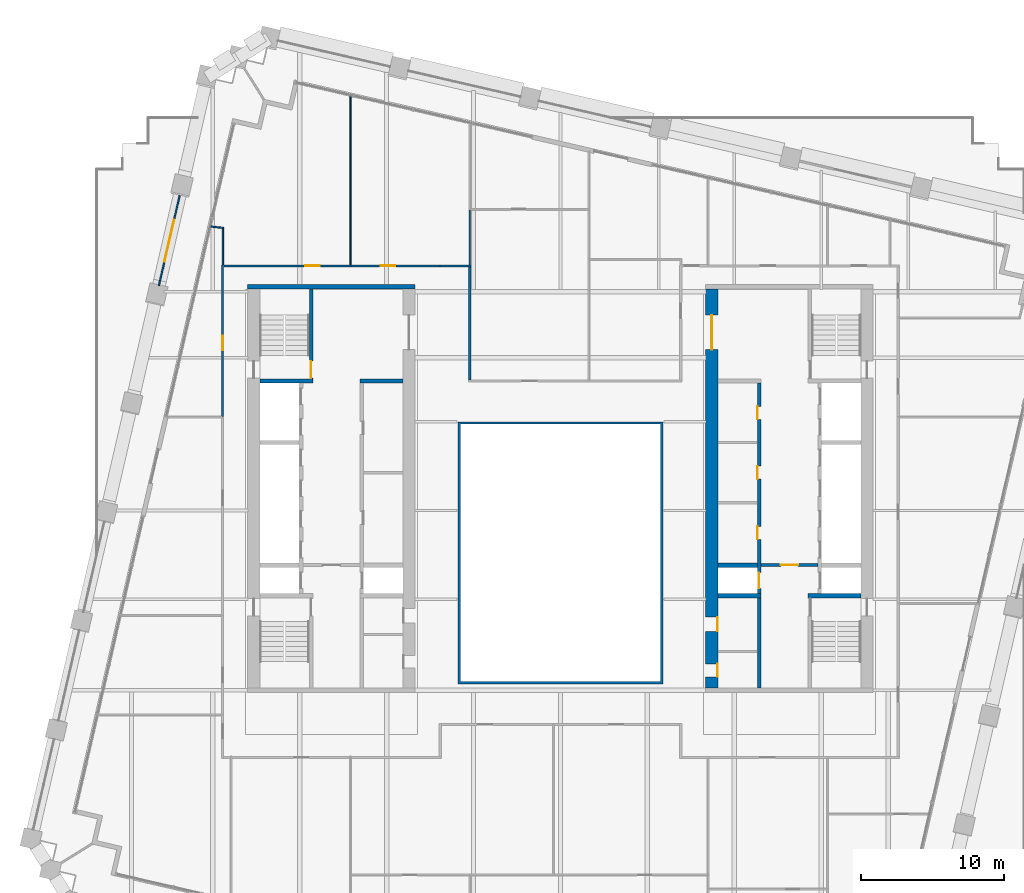
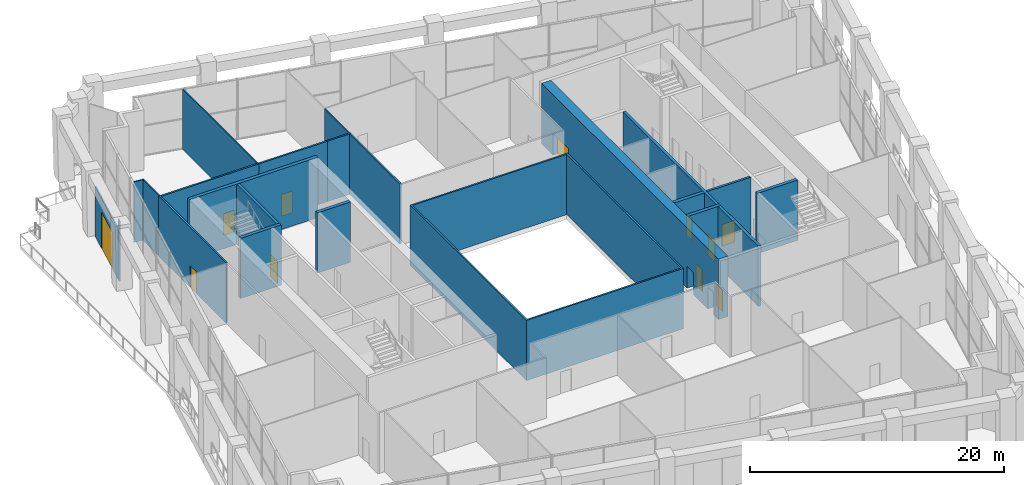
# One storey, part 17 of 23: 22 walls, 13 doors, 13 openings.
"""IFC4 building model written with IfcOpenShell, lengths in metres."""

from ifc_helpers import new_model, si_unit, direction, frame, frame_2d, origin, place, context, subcontext, project, spatial, polyline, rectangle, outline, extrude, material, layer, layer_set, type_object, element, fill, save


model = new_model("IFC4")

# Units and contexts
model_context = context("Model", 3, precision=1e-05, world=origin(), true_north=direction((0.0, 1.0)))
body_context = subcontext(model_context, "Body", "Model", "MODEL_VIEW")
ifc_project = project(units=[si_unit("LENGTHUNIT", "METRE"), si_unit("AREAUNIT", "SQUARE_METRE"), si_unit("VOLUMEUNIT", "CUBIC_METRE"), si_unit("PLANEANGLEUNIT", "RADIAN"), si_unit("MASSUNIT", "GRAM", prefix="KILO")], contexts=[model_context])

# Site, building, storey
site_placement = place(None, origin())
site = spatial("IfcSite", under=ifc_project, at=site_placement, CompositionType="ELEMENT")
building_placement = place(site_placement, origin())
building = spatial("IfcBuilding", under=site, at=building_placement, Name="Ogive Exchange Tower", CompositionType="ELEMENT")
storey_placement = place(building_placement, frame((0.0, 0.0, 99.60009765625)))
storey = spatial("IfcBuildingStorey", under=building, at=storey_placement, Name="L21", CompositionType="ELEMENT", Elevation=99.60009765625)

# Wall
ifc_material_1 = material(Name="Gypsum board partition")
ifc_layer_1 = layer(ifc_material_1, 0.300048828125)
ifc_layer_set_1 = layer_set([ifc_layer_1], Name="Core room partition 300 gypsum")
wall_type_1 = type_object("IfcWallType", Name="Core room partition 300 gypsum", PredefinedType="PARTITIONING", material=ifc_layer_set_1)
wall_1_placement = place(storey_placement, frame((-14.0, 19.0, 0.0), z_axis=(0.0, 0.0, 1.0), x_axis=(1.0, 0.0, 0.0)))
element("IfcWall", 1, at=wall_1_placement, inside=storey, type_object=wall_type_1, Name="W row B room end wall 7", PredefinedType="PARTITIONING", context=body_context, shape_type="SweptSolid", body=[
    extrude(rectangle(XDim=3.0, YDim=0.300048828125, at=frame_2d((1.5, 0.0))), origin(), (0.0, 0.0, 1.0), 5.7998046875),
])

# Wall, opening, door
ifc_material_2 = material(Name="Fire partition EI 60 150")
ifc_layer_2 = layer(ifc_material_2, 0.14990234375)
ifc_layer_set_2 = layer_set([ifc_layer_2], Name="Fire partition EI 60 150")
wall_type_2 = type_object("IfcWallType", Name="Fire partition EI 60 150", PredefinedType="PARTITIONING", material=ifc_layer_set_2)
wall_2_placement = place(storey_placement, frame((-23.60009765625, 16.530029296875, 0.0), z_axis=(0.0, 0.0, 1.0), x_axis=(0.0, 1.0, 0.0)))
wall_2 = element("IfcWall", 2, at=wall_2_placement, inside=storey, type_object=wall_type_2, Name="L21-PWL-008", PredefinedType="PARTITIONING", context=body_context, shape_type="SweptSolid", body=[
    extrude(rectangle(XDim=10.594970703125, YDim=0.14990234375, at=frame_2d((5.29736328125, 0.0))), origin(), (0.0, 0.0, 1.0), 5.7998046875),
])
opening_1_placement = place(wall_2_placement, frame((4.6201171875, 0.0, 0.0)))
opening_1 = element("IfcOpeningElement", 3, at=opening_1_placement, cuts=wall_2, Name="Opening L21-I20", PredefinedType="OPENING", context=body_context, shape_type="SweptSolid", body=[
    extrude(rectangle(XDim=1.0, YDim=2.10009765625, at=frame_2d((0.5, 1.050048828125))), frame((0.0, 0.0849609375, 0.0), z_axis=(0.0, -1.0, 0.0), x_axis=(1.0, 0.0, 0.0)), (0.0, 0.0, 1.0), 0.169921875),
])
ifc_material_3 = material(Name="Fire door FD 30S 1000 x 2100")
door_type_1 = type_object("IfcDoorType", Name="Fire door FD 30S 1000 x 2100", OperationType="NOTDEFINED", PredefinedType="DOOR", material=ifc_material_3)
door_1_placement = place(opening_1_placement, origin())
door_1 = element("IfcDoor", 4, at=door_1_placement, inside=storey, type_object=door_type_1, Name="L21-IDR-020", ObjectType="DT3", OperationType="SINGLE_SWING_RIGHT", OverallHeight=2.10009765625, OverallWidth=1.0, PredefinedType="DOOR", context=body_context, shape_type="SweptSolid", body=[
    extrude(rectangle(XDim=1.0, YDim=2.10009765625, at=frame_2d((0.5, 1.050048828125))), frame((0.0, 0.02490234375, 0.0), z_axis=(0.0, -1.0, 0.0), x_axis=(1.0, 0.0, 0.0)), (0.0, 0.0, 1.0), 0.050048828125),
])
fill(opening_1, door_1)

wall_3_placement = place(storey_placement, frame((-23.514892578125, 27.050048828125, 0.0), z_axis=(0.0, 0.0, 1.0), x_axis=(1.0, 0.0, 0.0)))
wall_3 = element("IfcWall", 5, at=wall_3_placement, inside=storey, type_object=wall_type_2, Name="L21-PWL-010", PredefinedType="PARTITIONING", context=body_context, shape_type="SweptSolid", body=[
    extrude(rectangle(XDim=8.894775390625, YDim=0.14990234375, at=frame_2d((4.447265625, 0.0))), origin(), (0.0, 0.0, 1.0), 5.7998046875),
])
opening_2_placement = place(wall_3_placement, frame((5.695068359375, 0.0, 0.0)))
opening_2 = element("IfcOpeningElement", 6, at=opening_2_placement, cuts=wall_3, Name="Opening L21-I19", PredefinedType="OPENING", context=body_context, shape_type="SweptSolid", body=[
    extrude(rectangle(XDim=1.0, YDim=2.10009765625, at=frame_2d((0.5, 1.050048828125))), frame((0.0, 0.0849609375, 0.0), z_axis=(0.0, -1.0, 0.0), x_axis=(1.0, 0.0, 0.0)), (0.0, 0.0, 1.0), 0.169921875),
])
door_2_placement = place(opening_2_placement, origin())
door_2 = element("IfcDoor", 7, at=door_2_placement, inside=storey, type_object=door_type_1, Name="L21-IDR-019", ObjectType="DT3", OperationType="SINGLE_SWING_LEFT", OverallHeight=2.10009765625, OverallWidth=1.0, PredefinedType="DOOR", context=body_context, shape_type="SweptSolid", body=[
    extrude(rectangle(XDim=1.0, YDim=2.10009765625, at=frame_2d((0.5, 1.050048828125))), frame((0.0, 0.02490234375, 0.0), z_axis=(0.0, -1.0, 0.0), x_axis=(1.0, 0.0, 0.0)), (0.0, 0.0, 1.0), 0.050048828125),
])
fill(opening_2, door_2)

wall_4_placement = place(storey_placement, frame((-14.6201171875, 27.050048828125, 0.0), z_axis=(0.0, 0.0, 1.0), x_axis=(1.0, 0.0, 0.0)))
wall_4 = element("IfcWall", 8, at=wall_4_placement, inside=storey, type_object=wall_type_2, Name="L21-PWL-017", PredefinedType="PARTITIONING", context=body_context, shape_type="SweptSolid", body=[
    extrude(rectangle(XDim=6.22021484375, YDim=0.14990234375, at=frame_2d((3.110107421875, 0.0))), origin(), (0.0, 0.0, 1.0), 5.7998046875),
])
opening_3_placement = place(wall_4_placement, frame((2.070068359375, 0.0, 0.0)))
opening_3 = element("IfcOpeningElement", 9, at=opening_3_placement, cuts=wall_4, Name="Opening L21-I01", PredefinedType="OPENING", context=body_context, shape_type="SweptSolid", body=[
    extrude(rectangle(XDim=1.0, YDim=2.10009765625, at=frame_2d((0.5, 1.050048828125))), frame((0.0, 0.0849609375, 0.0), z_axis=(0.0, -1.0, 0.0), x_axis=(1.0, 0.0, 0.0)), (0.0, 0.0, 1.0), 0.169921875),
])
door_3_placement = place(opening_3_placement, origin())
door_3 = element("IfcDoor", 10, at=door_3_placement, inside=storey, type_object=door_type_1, Name="L21-IDR-001", ObjectType="DT3", OperationType="SINGLE_SWING_RIGHT", OverallHeight=2.10009765625, OverallWidth=1.0, PredefinedType="DOOR", context=body_context, shape_type="SweptSolid", body=[
    extrude(rectangle(XDim=1.0, YDim=2.10009765625, at=frame_2d((0.5, 1.050048828125))), frame((0.0, 0.02490234375, 0.0), z_axis=(0.0, -1.0, 0.0), x_axis=(1.0, 0.0, 0.0)), (0.0, 0.0, 1.0), 0.050048828125),
])
fill(opening_3, door_3)

# Walls
wall_5_placement = place(storey_placement, frame((-8.39990234375, 27.0400390625, 0.0), z_axis=(0.0, 0.0, 1.0), x_axis=(1.0, 0.0, 0.0)))
element("IfcWall", 11, at=wall_5_placement, inside=storey, type_object=wall_type_2, Name="L21-PWL-020", PredefinedType="PARTITIONING", context=body_context, shape_type="SweptSolid", body=[
    extrude(rectangle(XDim=2.135009765625, YDim=0.14990234375, at=frame_2d((1.0673828125, 0.0))), origin(), (0.0, 0.0, 1.0), 5.7998046875),
])
wall_6_placement = place(storey_placement, frame((-6.340087890625, 26.965087890625, 0.0), z_axis=(0.0, 0.0, 1.0), x_axis=(0.0, -1.0, 0.0)))
element("IfcWall", 12, at=wall_6_placement, inside=storey, type_object=wall_type_2, Name="L21-PWL-024", PredefinedType="PARTITIONING", context=body_context, shape_type="SweptSolid", body=[
    extrude(rectangle(XDim=7.89013671875, YDim=0.14990234375, at=frame_2d((3.945068359375, 0.0))), origin(), (0.0, 0.0, 1.0), 5.7998046875),
])
ifc_material_4 = material(Name="Fire-resisting glass in steel frame", Category="steel")
ifc_layer_3 = layer(ifc_material_4, 0.14990234375)
ifc_layer_set_3 = layer_set([ifc_layer_3], Name="Fire-rated glazed wall 150")
wall_type_3 = type_object("IfcWallType", Name="Fire-rated glazed wall 150", PredefinedType="STANDARD", material=ifc_layer_set_3)
wall_7_placement = place(storey_placement, origin())
element("IfcWall", 13, at=wall_7_placement, inside=storey, type_object=wall_type_3, Name="Nave enclosure wall", PredefinedType="STANDARD", context=body_context, shape_type="SweptSolid", body=[
    extrude(outline(polyline([(-7.14990234375, -2.14990234375), (7.14990234375, -2.14990234375), (7.14990234375, 16.14990234375), (-7.14990234375, 16.14990234375), (-7.14990234375, -2.14990234375)]), holes=[polyline([(-7.0, -2.0), (-7.0, 16.0), (7.0, 16.0), (7.0, -2.0), (-7.0, -2.0)])]), origin(), (0.0, 0.0, 1.0), 5.7998046875),
])

# Wall, opening, door
ifc_material_5 = material(Name="Laminated safety glass in steel frame", Category="steel")
ifc_layer_4 = layer(ifc_material_5, 0.10009765625)
ifc_layer_set_4 = layer_set([ifc_layer_4], Name="Loggia end screen 100")
wall_type_4 = type_object("IfcWallType", Name="Loggia end screen 100", PredefinedType="STANDARD", material=ifc_layer_set_4)
wall_8_placement = place(storey_placement, frame((-26.60302734375, 31.967041015625, 0.0), z_axis=(0.0, 0.0, 1.0), x_axis=(-0.224944128694, -0.974371663671, 0.0)))
wall_8 = element("IfcWall", 14, at=wall_8_placement, inside=storey, type_object=wall_type_4, Name="Terrace screen W01", PredefinedType="STANDARD", context=body_context, shape_type="SweptSolid", body=[
    extrude(rectangle(XDim=6.1103515625, YDim=0.10009765625, at=frame_2d((3.05517578125, 0.0))), origin(), (0.0, 0.0, 1.0), 4.849853515625),
])
opening_4_placement = place(wall_8_placement, frame((1.72998046875, 0.0, 0.0)))
opening_4 = element("IfcOpeningElement", 15, at=opening_4_placement, cuts=wall_8, Name="Opening D4", PredefinedType="OPENING", context=body_context, shape_type="SweptSolid", body=[
    extrude(rectangle(XDim=3.0, YDim=3.5, at=frame_2d((1.5, 1.75))), frame((0.0, 0.06005859375, 0.0), z_axis=(0.0, -1.0, 0.0), x_axis=(1.0, 0.0, 0.0)), (0.0, 0.0, 1.0), 0.1201171875),
])
ifc_material_6 = material(Name="Clear glass in bronze frame", Category="glass")
door_type_2 = type_object("IfcDoorType", Name="Terrace sliding door 3000 x 3500", OperationType="DOUBLE_DOOR_SLIDING", PredefinedType="DOOR", material=ifc_material_6)
door_4_placement = place(opening_4_placement, origin())
door_4 = element("IfcDoor", 16, at=door_4_placement, inside=storey, type_object=door_type_2, Name="Terrace door W01", OperationType="DOUBLE_DOOR_SLIDING", OverallHeight=3.5, OverallWidth=3.0, PredefinedType="DOOR", context=body_context, shape_type="SweptSolid", body=[
    extrude(rectangle(XDim=3.0, YDim=3.5, at=frame_2d((1.5, 1.75))), frame((0.0, 0.02490234375, 0.0), z_axis=(0.0, -1.0, 0.0), x_axis=(1.0, 0.0, 0.0)), (0.0, 0.0, 1.0), 0.050048828125),
])
fill(opening_4, door_4)

# Walls
wall_9_placement = place(storey_placement, frame((-27.9775390625, 26.01318359375, 0.0), z_axis=(0.0, 0.0, 1.0), x_axis=(-0.224910518966, -0.974379422227, 0.0)))
element("IfcWall", 17, at=wall_9_placement, inside=storey, type_object=wall_type_4, Name="Terrace screen W01", PredefinedType="STANDARD", context=body_context, shape_type="SweptSolid", body=[
    extrude(rectangle(XDim=0.349609375, YDim=0.10009765625, at=frame_2d((0.1748046875, 0.0))), origin(), (0.0, 0.0, 1.0), 5.7998046875),
])
ifc_material_7 = material(Name="Partition 100 gypsum")
ifc_layer_5 = layer(ifc_material_7, 0.10009765625)
ifc_layer_set_5 = layer_set([ifc_layer_5], Name="Partition 100 gypsum")
wall_type_5 = type_object("IfcWallType", Name="Partition 100 gypsum", PredefinedType="PARTITIONING", material=ifc_layer_set_5)
wall_10_placement = place(storey_placement, frame((-24.416015625, 29.794921875, 0.0), z_axis=(0.0, 0.0, 1.0), x_axis=(0.993440426076, -0.114350862868, 0.0)))
element("IfcWall", 18, at=wall_10_placement, inside=storey, type_object=wall_type_5, Name="L21-PWL-001", PredefinedType="PARTITIONING", context=body_context, shape_type="SweptSolid", body=[
    extrude(rectangle(XDim=0.8818359375, YDim=0.10009765625, at=frame_2d((0.44091796875, 0.0))), origin(), (0.0, 0.0, 1.0), 5.7998046875),
])
wall_11_placement = place(storey_placement, frame((-23.590087890625, 27.125, 0.0), z_axis=(0.0, 0.0, 1.0), x_axis=(0.0, 1.0, 0.0)))
element("IfcWall", 19, at=wall_11_placement, inside=storey, type_object=wall_type_5, Name="L21-PWL-009", PredefinedType="PARTITIONING", context=body_context, shape_type="SweptSolid", body=[
    extrude(rectangle(XDim=2.52490234375, YDim=0.10009765625, at=frame_2d((1.262451171875, 0.0))), origin(), (0.0, 0.0, 1.0), 5.7998046875),
])
wall_12_placement = place(storey_placement, frame((-14.669921875, 27.125, 0.0), z_axis=(0.0, 0.0, 1.0), x_axis=(0.0, 1.0, 0.0)))
element("IfcWall", 20, at=wall_12_placement, inside=storey, type_object=wall_type_5, Name="L21-PWL-016", PredefinedType="PARTITIONING", context=body_context, shape_type="SweptSolid", body=[
    extrude(rectangle(XDim=11.785888671875, YDim=0.10009765625, at=frame_2d((5.89306640625, 0.0))), origin(), (0.0, 0.0, 1.0), 5.7998046875),
])
wall_13_placement = place(storey_placement, frame((-6.340087890625, 30.949951171875, 0.0), z_axis=(0.0, 0.0, 1.0), x_axis=(0.0, -1.0, 0.0)))
element("IfcWall", 21, at=wall_13_placement, inside=storey, type_object=wall_type_5, Name="L21-PWL-025", PredefinedType="PARTITIONING", context=body_context, shape_type="SweptSolid", body=[
    extrude(rectangle(XDim=3.8349609375, YDim=0.10009765625, at=frame_2d((1.91748046875, 0.0))), origin(), (0.0, 0.0, 1.0), 5.7998046875),
])

# Wall, opening, door
ifc_material_8 = material(Name="Concrete C70/85", Category="concrete")
ifc_layer_6 = layer(ifc_material_8, 0.199951171875)
ifc_layer_set_6 = layer_set([ifc_layer_6], Name="RC core wall 200 C70/85")
wall_type_6 = type_object("IfcWallType", Name="RC core wall 200 C70/85", PredefinedType="SHEAR", material=ifc_layer_set_6)
wall_14_placement = place(storey_placement, frame((14.0, 6.142822265625, 0.0), z_axis=(0.0, 0.0, 1.0), x_axis=(1.0, 0.0, 0.0)))
wall_14 = element("IfcWall", 22, at=wall_14_placement, inside=storey, type_object=wall_type_6, Name="E firefighting lobby wall", PredefinedType="SHEAR", context=body_context, shape_type="SweptSolid", body=[
    extrude(rectangle(XDim=4.0, YDim=0.199951171875, at=frame_2d((2.0, 0.0))), origin(), (0.0, 0.0, 1.0), 5.7998046875),
])
opening_5_placement = place(wall_14_placement, frame((1.39990234375, 0.0, 0.0)))
opening_5 = element("IfcOpeningElement", 23, at=opening_5_placement, cuts=wall_14, Name="Opening L21-C30", PredefinedType="OPENING", context=body_context, shape_type="SweptSolid", body=[
    extrude(rectangle(XDim=1.199951171875, YDim=2.10009765625, at=frame_2d((0.60009765625, 1.050048828125))), frame((0.0, 0.10986328125, 0.0), z_axis=(0.0, -1.0, 0.0), x_axis=(1.0, 0.0, 0.0)), (0.0, 0.0, 1.0), 0.219970703125),
])
ifc_material_9 = material(Name="Steel fire door", Category="steel")
door_type_3 = type_object("IfcDoorType", Name="Firefighting lobby door FD60 1200 x 2100", OperationType="NOTDEFINED", PredefinedType="DOOR", material=ifc_material_9)
door_5_placement = place(opening_5_placement, frame((1.199951171875, 0.0, 0.0), z_axis=(0.0, 0.0, 1.0), x_axis=(-1.0, 0.0, 0.0)))
door_5 = element("IfcDoor", 24, at=door_5_placement, inside=storey, type_object=door_type_3, Name="Firefighting lobby door", ObjectType="CD3", OperationType="SINGLE_SWING_RIGHT", OverallHeight=2.10009765625, OverallWidth=1.199951171875, PredefinedType="DOOR", context=body_context, shape_type="SweptSolid", body=[
    extrude(rectangle(XDim=1.199951171875, YDim=2.10009765625, at=frame_2d((0.60009765625, 1.050048828125))), frame((0.0, 0.02490234375, 0.0), z_axis=(0.0, -1.0, 0.0), x_axis=(1.0, 0.0, 0.0)), (0.0, 0.0, 1.0), 0.050048828125),
])
fill(opening_5, door_5)

ifc_layer_7 = layer(ifc_material_8, 0.25)
ifc_layer_set_7 = layer_set([ifc_layer_7], Name="RC core wall 250 C70/85")
wall_type_7 = type_object("IfcWallType", Name="RC core wall 250 C70/85", PredefinedType="SHEAR", material=ifc_layer_set_7)
wall_15_placement = place(storey_placement, frame((-17.425048828125, 19.14990234375, 0.0), z_axis=(0.0, 0.0, 1.0), x_axis=(0.0, 1.0, 0.0)))
wall_15 = element("IfcWall", 25, at=wall_15_placement, inside=storey, type_object=wall_type_7, Name="W stair N front wall", PredefinedType="SHEAR", context=body_context, shape_type="SweptSolid", body=[
    extrude(rectangle(XDim=6.300048828125, YDim=0.25, at=frame_2d((3.14990234375, 0.0))), origin(), (0.0, 0.0, 1.0), 5.7998046875),
])
opening_6_placement = place(wall_15_placement, frame((0.050048828125, 0.0, 0.0)))
opening_6 = element("IfcOpeningElement", 26, at=opening_6_placement, cuts=wall_15, Name="Opening L21-C15", PredefinedType="OPENING", context=body_context, shape_type="SweptSolid", body=[
    extrude(rectangle(XDim=1.199951171875, YDim=2.10009765625, at=frame_2d((0.60009765625, 1.050048828125))), frame((0.0, 0.135009765625, 0.0), z_axis=(0.0, -1.0, 0.0), x_axis=(1.0, 0.0, 0.0)), (0.0, 0.0, 1.0), 0.27001953125),
])
door_type_4 = type_object("IfcDoorType", Name="Stair door FD90 1200 x 2100", OperationType="NOTDEFINED", PredefinedType="DOOR", material=ifc_material_9)
door_6_placement = place(opening_6_placement, origin())
door_6 = element("IfcDoor", 27, at=door_6_placement, inside=storey, type_object=door_type_4, Name="Stair door", ObjectType="CD5", OperationType="SINGLE_SWING_RIGHT", OverallHeight=2.10009765625, OverallWidth=1.199951171875, PredefinedType="DOOR", context=body_context, shape_type="SweptSolid", body=[
    extrude(rectangle(XDim=1.199951171875, YDim=2.10009765625, at=frame_2d((0.60009765625, 1.050048828125))), frame((0.0, 0.02490234375, 0.0), z_axis=(0.0, -1.0, 0.0), x_axis=(1.0, 0.0, 0.0)), (0.0, 0.0, 1.0), 0.050048828125),
])
fill(opening_6, door_6)

# Wall, openings, doors
wall_16_placement = place(storey_placement, frame((13.875, -2.449951171875, 0.0), z_axis=(0.0, 0.0, 1.0), x_axis=(0.0, 1.0, 0.0)))
wall_16 = element("IfcWall", 28, at=wall_16_placement, inside=storey, type_object=wall_type_7, Name="E row B front wall", PredefinedType="SHEAR", context=body_context, shape_type="SweptSolid", body=[
    extrude(rectangle(XDim=21.300048828125, YDim=0.25, at=frame_2d((10.64990234375, 0.0))), origin(), (0.0, 0.0, 1.0), 5.7998046875),
])
opening_7_placement = place(wall_16_placement, frame((10.396484375, 0.0, 0.0)))
opening_7 = element("IfcOpeningElement", 29, at=opening_7_placement, cuts=wall_16, Name="Opening L21-C26", PredefinedType="OPENING", context=body_context, shape_type="SweptSolid", body=[
    extrude(rectangle(XDim=0.89990234375, YDim=2.10009765625, at=frame_2d((0.449951171875, 1.050048828125))), frame((0.0, 0.135009765625, 0.0), z_axis=(0.0, -1.0, 0.0), x_axis=(1.0, 0.0, 0.0)), (0.0, 0.0, 1.0), 0.27001953125),
])
opening_8_placement = place(wall_16_placement, frame((14.60009765625, 0.0, 0.0)))
opening_8 = element("IfcOpeningElement", 30, at=opening_8_placement, cuts=wall_16, Name="Opening L21-C27", PredefinedType="OPENING", context=body_context, shape_type="SweptSolid", body=[
    extrude(rectangle(XDim=0.89990234375, YDim=2.10009765625, at=frame_2d((0.449951171875, 1.050048828125))), frame((0.0, 0.135009765625, 0.0), z_axis=(0.0, -1.0, 0.0), x_axis=(1.0, 0.0, 0.0)), (0.0, 0.0, 1.0), 0.27001953125),
])
opening_9_placement = place(wall_16_placement, frame((18.77490234375, 0.0, 0.0)))
opening_9 = element("IfcOpeningElement", 31, at=opening_9_placement, cuts=wall_16, Name="Opening L21-C28", PredefinedType="OPENING", context=body_context, shape_type="SweptSolid", body=[
    extrude(rectangle(XDim=0.89990234375, YDim=2.10009765625, at=frame_2d((0.449951171875, 1.050048828125))), frame((0.0, 0.135009765625, 0.0), z_axis=(0.0, -1.0, 0.0), x_axis=(1.0, 0.0, 0.0)), (0.0, 0.0, 1.0), 0.27001953125),
])
opening_10_placement = place(wall_16_placement, frame((6.971435546875, 0.0, 0.0)))
opening_10 = element("IfcOpeningElement", 32, at=opening_10_placement, cuts=wall_16, Name="Opening L21-C29", PredefinedType="OPENING", context=body_context, shape_type="SweptSolid", body=[
    extrude(rectangle(XDim=1.10009765625, YDim=2.10009765625, at=frame_2d((0.550048828125, 1.050048828125))), frame((0.0, 0.135009765625, 0.0), z_axis=(0.0, -1.0, 0.0), x_axis=(1.0, 0.0, 0.0)), (0.0, 0.0, 1.0), 0.27001953125),
])
ifc_material_10 = material(Name="Stainless steel", Category="steel")
door_type_5 = type_object("IfcDoorType", Name="Lift landing door FD90 1100 x 2100", OperationType="SLIDING_TO_LEFT", PredefinedType="DOOR", material=ifc_material_10)
door_7_placement = place(opening_10_placement, origin())
door_7 = element("IfcDoor", 33, at=door_7_placement, inside=storey, type_object=door_type_5, Name="Lift landing door SV2", ObjectType="LD", OperationType="SLIDING_TO_LEFT", OverallHeight=2.10009765625, OverallWidth=1.10009765625, PredefinedType="DOOR", context=body_context, shape_type="SweptSolid", body=[
    extrude(rectangle(XDim=1.10009765625, YDim=2.10009765625, at=frame_2d((0.550048828125, 1.050048828125))), frame((0.0, 0.02490234375, 0.0), z_axis=(0.0, -1.0, 0.0), x_axis=(1.0, 0.0, 0.0)), (0.0, 0.0, 1.0), 0.050048828125),
])
fill(opening_10, door_7)
door_type_6 = type_object("IfcDoorType", Name="Riser door FD60 900 x 2100", OperationType="NOTDEFINED", PredefinedType="DOOR", material=ifc_material_9)
door_8_placement = place(opening_7_placement, origin())
door_8 = element("IfcDoor", 34, at=door_8_placement, inside=storey, type_object=door_type_6, Name="Riser door", ObjectType="CD2", OperationType="SINGLE_SWING_LEFT", OverallHeight=2.10009765625, OverallWidth=0.89990234375, PredefinedType="DOOR", context=body_context, shape_type="SweptSolid", body=[
    extrude(rectangle(XDim=0.89990234375, YDim=2.10009765625, at=frame_2d((0.449951171875, 1.050048828125))), frame((0.0, 0.125, 0.0), z_axis=(0.0, -1.0, 0.0), x_axis=(1.0, 0.0, 0.0)), (0.0, 0.0, 1.0), 0.050048828125),
])
fill(opening_7, door_8)
door_9_placement = place(opening_8_placement, origin())
door_9 = element("IfcDoor", 35, at=door_9_placement, inside=storey, type_object=door_type_6, Name="Riser door", ObjectType="CD2", OperationType="SINGLE_SWING_LEFT", OverallHeight=2.10009765625, OverallWidth=0.89990234375, PredefinedType="DOOR", context=body_context, shape_type="SweptSolid", body=[
    extrude(rectangle(XDim=0.89990234375, YDim=2.10009765625, at=frame_2d((0.449951171875, 1.050048828125))), frame((0.0, 0.125, 0.0), z_axis=(0.0, -1.0, 0.0), x_axis=(1.0, 0.0, 0.0)), (0.0, 0.0, 1.0), 0.050048828125),
])
fill(opening_8, door_9)
door_10_placement = place(opening_9_placement, origin())
door_10 = element("IfcDoor", 36, at=door_10_placement, inside=storey, type_object=door_type_6, Name="Riser door", ObjectType="CD2", OperationType="SINGLE_SWING_RIGHT", OverallHeight=2.10009765625, OverallWidth=0.89990234375, PredefinedType="DOOR", context=body_context, shape_type="SweptSolid", body=[
    extrude(rectangle(XDim=0.89990234375, YDim=2.10009765625, at=frame_2d((0.449951171875, 1.050048828125))), frame((0.0, 0.125, 0.0), z_axis=(0.0, -1.0, 0.0), x_axis=(1.0, 0.0, 0.0)), (0.0, 0.0, 1.0), 0.050048828125),
])
fill(opening_9, door_10)

# Walls
ifc_layer_8 = layer(ifc_material_8, 0.300048828125)
ifc_layer_set_8 = layer_set([ifc_layer_8], Name="RC core wall 300 C70/85")
wall_type_8 = type_object("IfcWallType", Name="RC core wall 300 C70/85", PredefinedType="SHEAR", material=ifc_layer_set_8)
wall_17_placement = place(storey_placement, frame((-21.85009765625, 25.60009765625, 0.0), z_axis=(0.0, 0.0, 1.0), x_axis=(1.0, 0.0, 0.0)))
element("IfcWall", 37, at=wall_17_placement, inside=storey, type_object=wall_type_8, Name="W north end wall", PredefinedType="SHEAR", context=body_context, shape_type="SweptSolid", body=[
    extrude(rectangle(XDim=11.7001953125, YDim=0.300048828125, at=frame_2d((5.85009765625, 0.0))), origin(), (0.0, 0.0, 1.0), 5.7998046875),
])
for number, where, z_axis, x_axis, name in (
    (38, (-21.0, 19.0, 0.0), (0.0, 0.0, 1.0), (1.0, 0.0, 0.0), "W stair N south wall"),
    (39, (17.300048828125, 4.0, 0.0), (0.0, 0.0, 1.0), (1.0, 0.0, 0.0), "E stair S north wall"),
):
    element("IfcWall", number, at=place(storey_placement, frame(where, z_axis=z_axis, x_axis=x_axis)), inside=storey, type_object=wall_type_8, Name=name, PredefinedType="SHEAR", context=body_context, shape_type="SweptSolid", body=[
        extrude(rectangle(XDim=3.699951171875, YDim=0.300048828125, at=frame_2d((1.85009765625, 0.0))), origin(), (0.0, 0.0, 1.0), 5.7998046875),
    ])
wall_18_placement = place(storey_placement, frame((11.0, 4.0, 0.0), z_axis=(0.0, 0.0, 1.0), x_axis=(1.0, 0.0, 0.0)))
element("IfcWall", 40, at=wall_18_placement, inside=storey, type_object=wall_type_8, Name="E row B divider 0", PredefinedType="SHEAR", context=body_context, shape_type="SweptSolid", body=[
    extrude(rectangle(XDim=3.0, YDim=0.300048828125, at=frame_2d((1.5, 0.0))), origin(), (0.0, 0.0, 1.0), 5.7998046875),
])
wall_19_placement = place(storey_placement, frame((11.0, 6.142822265625, 0.0), z_axis=(0.0, 0.0, 1.0), x_axis=(1.0, 0.0, 0.0)))
element("IfcWall", 41, at=wall_19_placement, inside=storey, type_object=wall_type_8, Name="E row B divider 1", PredefinedType="SHEAR", context=body_context, shape_type="SweptSolid", body=[
    extrude(rectangle(XDim=2.75, YDim=0.300048828125, at=frame_2d((1.375, 0.0))), origin(), (0.0, 0.0, 1.0), 5.7998046875),
])

# Wall, openings, doors
ifc_layer_9 = layer(ifc_material_8, 0.85009765625)
ifc_layer_set_9 = layer_set([ifc_layer_9], Name="RC core wall 850 C70/85")
wall_type_9 = type_object("IfcWallType", Name="RC core wall 850 C70/85", PredefinedType="SHEAR", material=ifc_layer_set_9)
wall_20_placement = place(storey_placement, frame((10.574951171875, -2.449951171875, 0.0), z_axis=(0.0, 0.0, 1.0), x_axis=(0.0, 1.0, 0.0)))
wall_20 = element("IfcWall", 42, at=wall_20_placement, inside=storey, type_object=wall_type_9, Name="E inner wall", PredefinedType="SHEAR", context=body_context, shape_type="SweptSolid", body=[
    extrude(rectangle(XDim=27.89990234375, YDim=0.85009765625, at=frame_2d((13.949951171875, 0.0))), origin(), (0.0, 0.0, 1.0), 5.7998046875),
])
opening_11_placement = place(wall_20_placement, frame((23.64990234375, 0.0, 0.0)))
opening_11 = element("IfcOpeningElement", 43, at=opening_11_placement, cuts=wall_20, Name="Opening L21-C31", PredefinedType="OPENING", context=body_context, shape_type="SweptSolid", body=[
    extrude(rectangle(XDim=2.39990234375, YDim=2.10009765625, at=frame_2d((1.199951171875, 1.050048828125))), frame((0.0, 0.43505859375, 0.0), z_axis=(0.0, -1.0, 0.0), x_axis=(1.0, 0.0, 0.0)), (0.0, 0.0, 1.0), 0.8701171875),
])
opening_12_placement = place(wall_20_placement, frame((0.78759765625, 0.0, 0.0)))
opening_12 = element("IfcOpeningElement", 44, at=opening_12_placement, cuts=wall_20, Name="Opening L21-C36", PredefinedType="OPENING", context=body_context, shape_type="SweptSolid", body=[
    extrude(rectangle(XDim=0.89990234375, YDim=2.10009765625, at=frame_2d((0.449951171875, 1.050048828125))), frame((0.0, 0.43505859375, 0.0), z_axis=(0.0, -1.0, 0.0), x_axis=(1.0, 0.0, 0.0)), (0.0, 0.0, 1.0), 0.8701171875),
])
opening_13_placement = place(wall_20_placement, frame((3.96240234375, 0.0, 0.0)))
opening_13 = element("IfcOpeningElement", 45, at=opening_13_placement, cuts=wall_20, Name="Opening L21-C37", PredefinedType="OPENING", context=body_context, shape_type="SweptSolid", body=[
    extrude(rectangle(XDim=1.0, YDim=2.10009765625, at=frame_2d((0.5, 1.050048828125))), frame((0.0, 0.43505859375, 0.0), z_axis=(0.0, -1.0, 0.0), x_axis=(1.0, 0.0, 0.0)), (0.0, 0.0, 1.0), 0.8701171875),
])
ifc_material_11 = material(Name="Timber fire door", Category="wood")
door_type_7 = type_object("IfcDoorType", Name="Accessible WC door FD30S 1000 x 2100", OperationType="NOTDEFINED", PredefinedType="DOOR", material=ifc_material_11)
door_11_placement = place(opening_13_placement, frame((1.0, -0.7998046875, 0.0), z_axis=(0.0, 0.0, 1.0), x_axis=(-1.0, 0.0, 0.0)))
door_11 = element("IfcDoor", 46, at=door_11_placement, inside=storey, type_object=door_type_7, Name="Accessible WC door", ObjectType="CD7", OperationType="SINGLE_SWING_LEFT", OverallHeight=2.10009765625, OverallWidth=1.0, PredefinedType="DOOR", context=body_context, shape_type="SweptSolid", body=[
    extrude(rectangle(XDim=1.0, YDim=2.10009765625, at=frame_2d((0.5, 1.050048828125))), frame((0.0, -0.375, 0.0), z_axis=(0.0, -1.0, 0.0), x_axis=(1.0, 0.0, 0.0)), (0.0, 0.0, 1.0), 0.050048828125),
])
fill(opening_13, door_11)
door_type_8 = type_object("IfcDoorType", Name="Core room door FD30S 900 x 2100", OperationType="NOTDEFINED", PredefinedType="DOOR", material=ifc_material_11)
door_12_placement = place(opening_12_placement, frame((0.89990234375, -0.7998046875, 0.0), z_axis=(0.0, 0.0, 1.0), x_axis=(-1.0, 0.0, 0.0)))
door_12 = element("IfcDoor", 47, at=door_12_placement, inside=storey, type_object=door_type_8, Name="Core room door", ObjectType="CD6", OperationType="SINGLE_SWING_LEFT", OverallHeight=2.10009765625, OverallWidth=0.89990234375, PredefinedType="DOOR", context=body_context, shape_type="SweptSolid", body=[
    extrude(rectangle(XDim=0.89990234375, YDim=2.10009765625, at=frame_2d((0.449951171875, 1.050048828125))), frame((0.0, -0.375, 0.0), z_axis=(0.0, -1.0, 0.0), x_axis=(1.0, 0.0, 0.0)), (0.0, 0.0, 1.0), 0.050048828125),
])
fill(opening_12, door_12)
ifc_material_12 = material(Name="Glazed steel fire door", Category="steel")
door_type_9 = type_object("IfcDoorType", Name="Lift lobby double door FD60 2400 x 2100", OperationType="DOUBLE_DOOR_SINGLE_SWING", PredefinedType="DOOR", material=ifc_material_12)
door_13_placement = place(opening_11_placement, frame((2.39990234375, 0.0, 0.0), z_axis=(0.0, 0.0, 1.0), x_axis=(-1.0, 0.0, 0.0)))
door_13 = element("IfcDoor", 48, at=door_13_placement, inside=storey, type_object=door_type_9, Name="Lift lobby double door", ObjectType="CD4", OperationType="DOUBLE_DOOR_SINGLE_SWING", OverallHeight=2.10009765625, OverallWidth=2.39990234375, PredefinedType="DOOR", context=body_context, shape_type="SweptSolid", body=[
    extrude(rectangle(XDim=2.39990234375, YDim=2.10009765625, at=frame_2d((1.199951171875, 1.050048828125))), frame((0.0, 0.02490234375, 0.0), z_axis=(0.0, -1.0, 0.0), x_axis=(1.0, 0.0, 0.0)), (0.0, 0.0, 1.0), 0.050048828125),
])
fill(opening_11, door_13)

save(model, "model.ifc")
